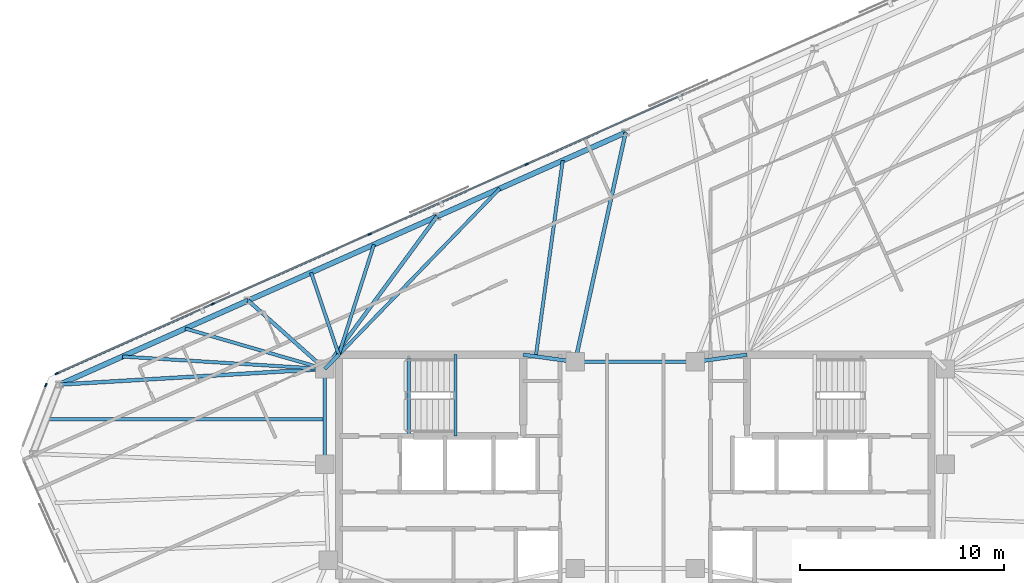
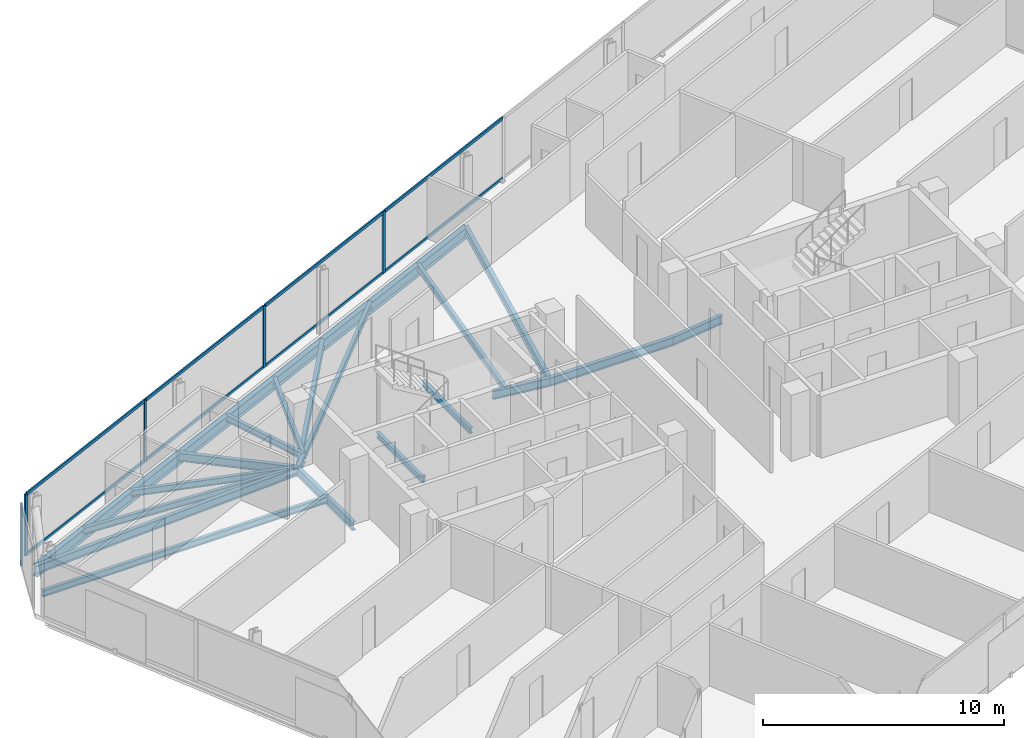
# One storey, part 9 of 19: 21 beams, 13 members, 2 elements without a shape of their own.
"""IFC4 building model written with IfcOpenShell, lengths in metres."""

from ifc_helpers import new_model, si_unit, direction, frame, origin, origin_2d, place, context, subcontext, project, spatial, rectangle, i_section, extrude, material, material_profile, profile_set, type_object, element, aggregate, save


model = new_model("IFC4")

# Units and contexts
model_context = context("Model", 3, precision=1e-05, world=origin(), true_north=direction((0.0, 1.0)))
body_context = subcontext(model_context, "Body", "Model", "MODEL_VIEW")
ifc_project = project(units=[si_unit("LENGTHUNIT", "METRE"), si_unit("AREAUNIT", "SQUARE_METRE"), si_unit("VOLUMEUNIT", "CUBIC_METRE"), si_unit("PLANEANGLEUNIT", "RADIAN"), si_unit("MASSUNIT", "GRAM", prefix="KILO")], contexts=[model_context])

# Site, building, storey
site_placement = place(None, origin())
site = spatial("IfcSite", under=ifc_project, at=site_placement, CompositionType="ELEMENT")
building_placement = place(site_placement, origin())
building = spatial("IfcBuilding", under=site, at=building_placement, Name="Menara Jurai Vektor", CompositionType="ELEMENT")
storey_placement = place(building_placement, frame((0.0, 0.0, 262.199951171875)))
storey = spatial("IfcBuildingStorey", under=building, at=storey_placement, Name="L70", CompositionType="ELEMENT", Elevation=262.199951171875)

# Curtain wall, members
ifc_material_1 = material(Name="Anodised Pale Aluminium & Low-E Double Glazing", Category="aluminium")
curtain_wall_type = type_object("IfcCurtainWallType", Name="CW-BLK5", PredefinedType="NOTDEFINED", material=ifc_material_1)
curtain_wall_1_placement = place(storey_placement, origin())
curtain_wall_1 = element("IfcCurtainWall", 1, at=curtain_wall_1_placement, inside=storey, type_object=curtain_wall_type, Name="Unitised Curtain Wall L70 F05", PredefinedType="NOTDEFINED")
ifc_material_2 = material(Name="Anodised Pale Aluminium Mullion", Category="aluminium")
ifc_material_profile_1 = material_profile(ifc_material_2, rectangle(XDim=0.074951171875, YDim=0.175048828125, at=origin_2d()), Name="ALU MUL 75x175")
ifc_profile_set_1 = profile_set([ifc_material_profile_1], Name="Anodised Pale Aluminium Mullion")
member_type_1 = type_object("IfcMemberType", Name="CW-BLK5-MUL", PredefinedType="MULLION", material=ifc_profile_set_1)
member_1_placement = place(storey_placement, frame((-5.327880859375, 14.957275390625, 0.0), z_axis=(0.0, 0.0, 1.0), x_axis=(0.406735498684, -0.913545967158, 0.0)))
member_1 = element("IfcMember", 2, at=member_1_placement, type_object=member_type_1, Name="CW-05 mullion 4", PredefinedType="MULLION", context=body_context, shape_type="SweptSolid", body=[
    extrude(rectangle(XDim=0.074951171875, YDim=0.175048828125, at=origin_2d()), origin(), (0.0, 0.0, 1.0), 3.125),
])
member_2_placement = place(storey_placement, frame((-13.038330078125, 11.5244140625, 0.0), z_axis=(0.0, 0.0, 1.0), x_axis=(0.406735498684, -0.913545967158, 0.0)))
member_2 = element("IfcMember", 3, at=member_2_placement, type_object=member_type_1, Name="CW-05 mullion 5", PredefinedType="MULLION", context=body_context, shape_type="SweptSolid", body=[
    extrude(rectangle(XDim=0.074951171875, YDim=0.175048828125, at=origin_2d()), origin(), (0.0, 0.0, 1.0), 3.125),
])
member_3_placement = place(storey_placement, frame((-20.748779296875, 8.091552734375, 0.0), z_axis=(0.0, 0.0, 1.0), x_axis=(0.406735498684, -0.913545967158, 0.0)))
member_3 = element("IfcMember", 4, at=member_3_placement, type_object=member_type_1, Name="CW-05 mullion 6", PredefinedType="MULLION", context=body_context, shape_type="SweptSolid", body=[
    extrude(rectangle(XDim=0.074951171875, YDim=0.175048828125, at=origin_2d()), origin(), (0.0, 0.0, 1.0), 3.125),
])
member_4_placement = place(storey_placement, frame((-28.4248046875, 4.674072265625, 0.0), z_axis=(0.0, 0.0, 1.0), x_axis=(0.406735498684, -0.913545967158, 0.0)))
member_4 = element("IfcMember", 5, at=member_4_placement, type_object=member_type_1, Name="CW-05 mullion 7", PredefinedType="MULLION", context=body_context, shape_type="SweptSolid", body=[
    extrude(rectangle(XDim=0.074951171875, YDim=0.175048828125, at=origin_2d()), origin(), (0.0, 0.0, 1.0), 3.125),
])

# Curtain wall, member
curtain_wall_2_placement = place(storey_placement, origin())
curtain_wall_2 = element("IfcCurtainWall", 6, at=curtain_wall_2_placement, inside=storey, type_object=curtain_wall_type, Name="Unitised Curtain Wall L70 F06", PredefinedType="NOTDEFINED")
member_5_placement = place(storey_placement, frame((-28.955810546875, 4.114501953125, 0.0), z_axis=(0.0, 0.0, 1.0), x_axis=(0.933578193639, -0.358373766287, 0.0)))
member_5 = element("IfcMember", 7, at=member_5_placement, type_object=member_type_1, Name="CW-05 mullion 1", PredefinedType="MULLION", context=body_context, shape_type="SweptSolid", body=[
    extrude(rectangle(XDim=0.074951171875, YDim=0.175048828125, at=origin_2d()), origin(), (0.0, 0.0, 1.0), 3.125),
])
aggregate(curtain_wall_2, [member_5])

# Member
ifc_material_3 = material(Name="Anodised Pale Aluminium Transom", Category="aluminium")
ifc_material_profile_2 = material_profile(ifc_material_3, rectangle(XDim=0.074951171875, YDim=0.155029296875, at=origin_2d()), Name="ALU TRN 75x155")
ifc_profile_set_2 = profile_set([ifc_material_profile_2], Name="Anodised Pale Aluminium Transom")
member_type_2 = type_object("IfcMemberType", Name="CW-BLK5-TRN", PredefinedType="USERDEFINED", material=ifc_profile_set_2)
member_6_placement = place(storey_placement, frame((2.34814453125, 18.375, 0.03759765625), z_axis=(-0.913546575494, -0.406734132331, 0.0), x_axis=(0.406734132331, -0.913546575494, 0.0)))
member_6 = element("IfcMember", 8, at=member_6_placement, type_object=member_type_2, Name="CW-05 transom 3.1", ObjectType="TRANSOM", PredefinedType="USERDEFINED", context=body_context, shape_type="SweptSolid", body=[
    extrude(rectangle(XDim=0.074951171875, YDim=0.155029296875, at=origin_2d()), origin(), (0.0, 0.0, 1.0), 8.364990234375),
])

member_7_placement = place(storey_placement, frame((2.34814453125, 18.375, 3.087646484375), z_axis=(-0.913546575494, -0.406734132331, 0.0), x_axis=(0.406734132331, -0.913546575494, 0.0)))
member_7 = element("IfcMember", 9, at=member_7_placement, type_object=member_type_2, Name="CW-05 transom 3.2", ObjectType="TRANSOM", PredefinedType="USERDEFINED", context=body_context, shape_type="SweptSolid", body=[
    extrude(rectangle(XDim=0.074951171875, YDim=0.155029296875, at=origin_2d()), origin(), (0.0, 0.0, 1.0), 8.364990234375),
])

member_8_placement = place(storey_placement, frame((-5.3623046875, 14.942138671875, 0.03759765625), z_axis=(-0.913546575494, -0.406734132331, 0.0), x_axis=(0.406734132331, -0.913546575494, 0.0)))
member_8 = element("IfcMember", 10, at=member_8_placement, type_object=member_type_2, Name="CW-05 transom 4.1", ObjectType="TRANSOM", PredefinedType="USERDEFINED", context=body_context, shape_type="SweptSolid", body=[
    extrude(rectangle(XDim=0.074951171875, YDim=0.155029296875, at=origin_2d()), origin(), (0.0, 0.0, 1.0), 8.364990234375),
])

member_9_placement = place(storey_placement, frame((-5.3623046875, 14.942138671875, 3.087646484375), z_axis=(-0.913546575494, -0.406734132331, 0.0), x_axis=(0.406734132331, -0.913546575494, 0.0)))
member_9 = element("IfcMember", 11, at=member_9_placement, type_object=member_type_2, Name="CW-05 transom 4.2", ObjectType="TRANSOM", PredefinedType="USERDEFINED", context=body_context, shape_type="SweptSolid", body=[
    extrude(rectangle(XDim=0.074951171875, YDim=0.155029296875, at=origin_2d()), origin(), (0.0, 0.0, 1.0), 8.364990234375),
])

member_10_placement = place(storey_placement, frame((-13.072509765625, 11.50927734375, 0.03759765625), z_axis=(-0.913546575494, -0.406734132331, 0.0), x_axis=(0.406734132331, -0.913546575494, 0.0)))
member_10 = element("IfcMember", 12, at=member_10_placement, type_object=member_type_2, Name="CW-05 transom 5.1", ObjectType="TRANSOM", PredefinedType="USERDEFINED", context=body_context, shape_type="SweptSolid", body=[
    extrude(rectangle(XDim=0.074951171875, YDim=0.155029296875, at=origin_2d()), origin(), (0.0, 0.0, 1.0), 8.364990234375),
])

member_11_placement = place(storey_placement, frame((-13.072509765625, 11.50927734375, 3.087646484375), z_axis=(-0.913546575494, -0.406734132331, 0.0), x_axis=(0.406734132331, -0.913546575494, 0.0)))
member_11 = element("IfcMember", 13, at=member_11_placement, type_object=member_type_2, Name="CW-05 transom 5.2", ObjectType="TRANSOM", PredefinedType="USERDEFINED", context=body_context, shape_type="SweptSolid", body=[
    extrude(rectangle(XDim=0.074951171875, YDim=0.155029296875, at=origin_2d()), origin(), (0.0, 0.0, 1.0), 8.364990234375),
])

member_12_placement = place(storey_placement, frame((-20.782958984375, 8.076416015625, 0.03759765625), z_axis=(-0.91353811338, -0.406753138159, 0.0), x_axis=(0.406753138159, -0.91353811338, 0.0)))
member_12 = element("IfcMember", 14, at=member_12_placement, type_object=member_type_2, Name="CW-05 transom 6.1", ObjectType="TRANSOM", PredefinedType="USERDEFINED", context=body_context, shape_type="SweptSolid", body=[
    extrude(rectangle(XDim=0.074951171875, YDim=0.155029296875, at=origin_2d()), origin(), (0.0, 0.0, 1.0), 8.327392578125),
])

member_13_placement = place(storey_placement, frame((-20.782958984375, 8.076416015625, 3.087646484375), z_axis=(-0.91353811338, -0.406753138159, 0.0), x_axis=(0.406753138159, -0.91353811338, 0.0)))
member_13 = element("IfcMember", 15, at=member_13_placement, type_object=member_type_2, Name="CW-05 transom 6.2", ObjectType="TRANSOM", PredefinedType="USERDEFINED", context=body_context, shape_type="SweptSolid", body=[
    extrude(rectangle(XDim=0.074951171875, YDim=0.155029296875, at=origin_2d()), origin(), (0.0, 0.0, 1.0), 8.327392578125),
])

aggregate(curtain_wall_1, [member_1, member_2, member_3, member_4, member_6, member_7, member_8, member_9, member_10, member_11, member_12, member_13])

# Beams
ifc_material_4 = material(Name="Steel S355", Category="steel")
ifc_material_profile_3 = material_profile(ifc_material_4, i_section(OverallWidth=0.18505859375, OverallDepth=0.429931640625, WebThickness=0.010986328125, FlangeThickness=0.01806640625, at=origin_2d()), Name="PG 430x185x76")
ifc_profile_set_3 = profile_set([ifc_material_profile_3], Name="Steel S355")
beam_type_1 = type_object("IfcBeamType", Name="STR-BM-430", PredefinedType="BEAM", material=ifc_profile_set_3)
beam_1_placement = place(storey_placement, frame((-15.25, 4.89990234375, -0.43994140625), z_axis=(0.701871936926, 0.712303154672, 0.0), x_axis=(-0.712303154672, 0.701871936926, 0.0)))
element("IfcBeam", 16, at=beam_1_placement, inside=storey, type_object=beam_type_1, Name="Core Ring Header Girder L70-CHW-N1", PredefinedType="BEAM", context=body_context, shape_type="SweptSolid", body=[
    extrude(i_section(OverallWidth=0.18505859375, OverallDepth=0.429931640625, WebThickness=0.010986328125, FlangeThickness=0.01806640625, at=origin_2d()), origin(), (0.0, 0.0, 1.0), 0.98291015625),
])
beam_2_placement = place(storey_placement, frame((-5.5, 5.60009765625, -0.43994140625), z_axis=(0.990706818608, -0.136014703483, 0.0), x_axis=(0.136014703483, 0.990706818608, 0.0)))
element("IfcBeam", 17, at=beam_2_placement, inside=storey, type_object=beam_type_1, Name="Core Ring Header Girder L70-CHW-N2", PredefinedType="BEAM", context=body_context, shape_type="SweptSolid", body=[
    extrude(i_section(OverallWidth=0.18505859375, OverallDepth=0.429931640625, WebThickness=0.010986328125, FlangeThickness=0.01806640625, at=origin_2d()), origin(), (0.0, 0.0, 1.0), 2.573974609375),
])
beam_3_placement = place(storey_placement, frame((-15.25, 0.219970703125, -0.43994140625), z_axis=(0.0, 1.0, 0.0), x_axis=(-1.0, 0.0, 0.0)))
element("IfcBeam", 18, at=beam_3_placement, inside=storey, type_object=beam_type_1, Name="Core Ring Header Girder L70-CHW-W1", PredefinedType="BEAM", context=body_context, shape_type="SweptSolid", body=[
    extrude(i_section(OverallWidth=0.18505859375, OverallDepth=0.429931640625, WebThickness=0.010986328125, FlangeThickness=0.01806640625, at=origin_2d()), origin(), (0.0, 0.0, 1.0), 4.679931640625),
])
beam_4_placement = place(storey_placement, frame((2.949951171875, 5.25, -0.43994140625), z_axis=(0.990706818608, 0.136014703483, 0.0), x_axis=(-0.136014703483, 0.990706818608, 0.0)))
element("IfcBeam", 19, at=beam_4_placement, inside=storey, type_object=beam_type_1, Name="Core Ring Header Girder L70-CHE-N1", PredefinedType="BEAM", context=body_context, shape_type="SweptSolid", body=[
    extrude(i_section(OverallWidth=0.18505859375, OverallDepth=0.429931640625, WebThickness=0.010986328125, FlangeThickness=0.01806640625, at=origin_2d()), origin(), (0.0, 0.0, 1.0), 2.573974609375),
])
beam_5_placement = place(storey_placement, frame((-2.949951171875, 5.25, -0.43994140625), z_axis=(1.0, 0.0, 0.0), x_axis=(0.0, 1.0, 0.0)))
element("IfcBeam", 20, at=beam_5_placement, inside=storey, type_object=beam_type_1, Name="Core Ring Header Girder L70-CC-2", PredefinedType="BEAM", context=body_context, shape_type="SweptSolid", body=[
    extrude(i_section(OverallWidth=0.18505859375, OverallDepth=0.429931640625, WebThickness=0.010986328125, FlangeThickness=0.01806640625, at=origin_2d()), origin(), (0.0, 0.0, 1.0), 5.89990234375),
])
beam_6_placement = place(storey_placement, frame((-0.467529296875, 16.519287109375, -0.43994140625), z_axis=(-0.215124522255, -0.976586626943, 0.0), x_axis=(0.976586626943, -0.215124522255, 0.0)))
element("IfcBeam", 21, at=beam_6_placement, inside=storey, type_object=beam_type_1, Name="Radial Floor Girder L70-N3", PredefinedType="BEAM", context=body_context, shape_type="SweptSolid", body=[
    extrude(i_section(OverallWidth=0.18505859375, OverallDepth=0.429931640625, WebThickness=0.010986328125, FlangeThickness=0.01806640625, at=origin_2d()), origin(), (0.0, 0.0, 1.0), 11.53955078125),
])
beam_7_placement = place(storey_placement, frame((-9.740966796875, 12.390380859375, -0.43994140625), z_axis=(-0.592483178081, -0.805582822366, 0.0), x_axis=(0.805582822366, -0.592483178081, 0.0)))
element("IfcBeam", 22, at=beam_7_placement, inside=storey, type_object=beam_type_1, Name="Radial Floor Girder L70-N4", PredefinedType="BEAM", context=body_context, shape_type="SweptSolid", body=[
    extrude(i_section(OverallWidth=0.18505859375, OverallDepth=0.429931640625, WebThickness=0.010986328125, FlangeThickness=0.01806640625, at=origin_2d()), origin(), (0.0, 0.0, 1.0), 9.298095703125),
])
beam_8_placement = place(storey_placement, frame((-19.0146484375, 8.26171875, -0.43994140625), z_axis=(0.745886163995, -0.666073442167, 0.0), x_axis=(0.666073442167, 0.745886163995, 0.0)))
element("IfcBeam", 23, at=beam_8_placement, inside=storey, type_object=beam_type_1, Name="Radial Floor Girder L70-N5", PredefinedType="BEAM", context=body_context, shape_type="SweptSolid", body=[
    extrude(i_section(OverallWidth=0.18505859375, OverallDepth=0.429931640625, WebThickness=0.010986328125, FlangeThickness=0.01806640625, at=origin_2d()), origin(), (0.0, 0.0, 1.0), 5.047119140625),
])
beam_9_placement = place(storey_placement, frame((-28.2880859375, 4.1328125, -0.43994140625), z_axis=(0.998273728533, 0.058732979834, 0.0), x_axis=(-0.058732979834, 0.998273728533, 0.0)))
element("IfcBeam", 24, at=beam_9_placement, inside=storey, type_object=beam_type_1, Name="Radial Floor Girder L70-N6", PredefinedType="BEAM", context=body_context, shape_type="SweptSolid", body=[
    extrude(i_section(OverallWidth=0.18505859375, OverallDepth=0.429931640625, WebThickness=0.010986328125, FlangeThickness=0.01806640625, at=origin_2d()), origin(), (0.0, 0.0, 1.0), 13.060546875),
])
ifc_material_profile_4 = material_profile(ifc_material_4, i_section(OverallWidth=0.1650390625, OverallDepth=0.330078125, WebThickness=0.009033203125, FlangeThickness=0.013916015625, at=origin_2d()), Name="PG 330x165x46")
ifc_profile_set_4 = profile_set([ifc_material_profile_4], Name="Steel S355")
beam_type_2 = type_object("IfcBeamType", Name="STR-JS-330", PredefinedType="JOIST", material=ifc_profile_set_4)
beam_10_placement = place(storey_placement, frame((-3.55859375, 15.14306640625, -0.389892578125), z_axis=(-0.135981954601, -0.990711314169, 0.0), x_axis=(0.990711314169, -0.135981954601, 0.0)))
element("IfcBeam", 25, at=beam_10_placement, inside=storey, type_object=beam_type_2, Name="Radial Secondary Floor Joist L70-JS19", PredefinedType="JOIST", context=body_context, shape_type="SweptSolid", body=[
    extrude(i_section(OverallWidth=0.1650390625, OverallDepth=0.330078125, WebThickness=0.009033203125, FlangeThickness=0.013916015625, at=origin_2d()), origin(), (0.0, 0.0, 1.0), 9.718505859375),
])
beam_11_placement = place(storey_placement, frame((-6.64990234375, 13.766845703125, -0.389892578125), z_axis=(-0.695732556791, -0.718300918433, 0.0), x_axis=(0.718300918433, -0.695732556791, 0.0)))
element("IfcBeam", 26, at=beam_11_placement, inside=storey, type_object=beam_type_2, Name="Radial Secondary Floor Joist L70-JS20", PredefinedType="JOIST", context=body_context, shape_type="SweptSolid", body=[
    extrude(i_section(OverallWidth=0.1650390625, OverallDepth=0.330078125, WebThickness=0.009033203125, FlangeThickness=0.013916015625, at=origin_2d()), origin(), (0.0, 0.0, 1.0), 11.36962890625),
])
beam_12_placement = place(storey_placement, frame((-12.832275390625, 11.01416015625, -0.389892578125), z_axis=(-0.304022753529, -0.952664770702, 0.0), x_axis=(0.952664770702, -0.304022753529, 0.0)))
element("IfcBeam", 27, at=beam_12_placement, inside=storey, type_object=beam_type_2, Name="Radial Secondary Floor Joist L70-JS21", PredefinedType="JOIST", context=body_context, shape_type="SweptSolid", body=[
    extrude(i_section(OverallWidth=0.1650390625, OverallDepth=0.330078125, WebThickness=0.009033203125, FlangeThickness=0.013916015625, at=origin_2d()), origin(), (0.0, 0.0, 1.0), 5.68310546875),
])
beam_13_placement = place(storey_placement, frame((-15.92333984375, 9.637939453125, -0.389892578125), z_axis=(0.319885998438, -0.947456040143, 0.0), x_axis=(0.947456040143, 0.319885998438, 0.0)))
element("IfcBeam", 28, at=beam_13_placement, inside=storey, type_object=beam_type_2, Name="Radial Secondary Floor Joist L70-JS22", PredefinedType="JOIST", context=body_context, shape_type="SweptSolid", body=[
    extrude(i_section(OverallWidth=0.1650390625, OverallDepth=0.330078125, WebThickness=0.009033203125, FlangeThickness=0.013916015625, at=origin_2d()), origin(), (0.0, 0.0, 1.0), 4.26171875),
])
beam_14_placement = place(storey_placement, frame((-22.105712890625, 6.885498046875, -0.389892578125), z_axis=(0.960525066064, -0.278193453306, 0.0), x_axis=(0.278193453306, 0.960525066064, 0.0)))
element("IfcBeam", 29, at=beam_14_placement, inside=storey, type_object=beam_type_2, Name="Radial Secondary Floor Joist L70-JS23", PredefinedType="JOIST", context=body_context, shape_type="SweptSolid", body=[
    extrude(i_section(OverallWidth=0.1650390625, OverallDepth=0.330078125, WebThickness=0.009033203125, FlangeThickness=0.013916015625, at=origin_2d()), origin(), (0.0, 0.0, 1.0), 7.137451171875),
])
beam_15_placement = place(storey_placement, frame((-25.197021484375, 5.509033203125, -0.389892578125), z_axis=(0.998130240593, -0.061123013776, 0.0), x_axis=(0.061123013776, 0.998130240593, 0.0)))
element("IfcBeam", 30, at=beam_15_placement, inside=storey, type_object=beam_type_2, Name="Radial Secondary Floor Joist L70-JS24", PredefinedType="JOIST", context=body_context, shape_type="SweptSolid", body=[
    extrude(i_section(OverallWidth=0.1650390625, OverallDepth=0.330078125, WebThickness=0.009033203125, FlangeThickness=0.013916015625, at=origin_2d()), origin(), (0.0, 0.0, 1.0), 9.965576171875),
])
beam_16_placement = place(storey_placement, frame((-28.93994140625, 2.434814453125, -0.389892578125), z_axis=(1.0, 0.0, 0.0), x_axis=(0.0, 1.0, 0.0)))
element("IfcBeam", 31, at=beam_16_placement, inside=storey, type_object=beam_type_2, Name="Radial Secondary Floor Joist L70-JS25", PredefinedType="JOIST", context=body_context, shape_type="SweptSolid", body=[
    extrude(i_section(OverallWidth=0.1650390625, OverallDepth=0.330078125, WebThickness=0.009033203125, FlangeThickness=0.013916015625, at=origin_2d()), origin(), (0.0, 0.0, 1.0), 13.68994140625),
])
ifc_material_profile_5 = material_profile(ifc_material_4, i_section(OverallWidth=0.1650390625, OverallDepth=0.302978515625, WebThickness=0.006103515625, FlangeThickness=0.010009765625, FilletRadius=0.009033203125, at=origin_2d()), Name="UKB 305x165x40")
ifc_profile_set_5 = profile_set([ifc_material_profile_5], Name="Steel S355")
beam_type_3 = type_object("IfcBeamType", Name="STR-LN-305", PredefinedType="LINTEL", material=ifc_profile_set_5)
beam_17_placement = place(storey_placement, frame((-11.1201171875, 1.60009765625, -0.37646484375), z_axis=(0.0, 1.0, 0.0), x_axis=(-1.0, 0.0, 0.0)))
element("IfcBeam", 32, at=beam_17_placement, inside=storey, type_object=beam_type_3, Name="Stair Well Floor Trimmer ST1 L70", PredefinedType="LINTEL", context=body_context, shape_type="SweptSolid", body=[
    extrude(i_section(OverallWidth=0.1650390625, OverallDepth=0.302978515625, WebThickness=0.006103515625, FlangeThickness=0.010009765625, FilletRadius=0.009033203125, at=origin_2d()), origin(), (0.0, 0.0, 1.0), 3.81982421875),
])
beam_18_placement = place(storey_placement, frame((-8.830078125, 1.60009765625, 1.323486328125), z_axis=(0.0, 1.0, 0.0), x_axis=(-1.0, 0.0, 0.0)))
element("IfcBeam", 33, at=beam_18_placement, inside=storey, type_object=beam_type_3, Name="Stair Half-Landing Nosing Trimmer ST1-1 L70", PredefinedType="LINTEL", context=body_context, shape_type="SweptSolid", body=[
    extrude(i_section(OverallWidth=0.1650390625, OverallDepth=0.302978515625, WebThickness=0.006103515625, FlangeThickness=0.010009765625, FilletRadius=0.009033203125, at=origin_2d()), origin(), (0.0, 0.0, 1.0), 4.0),
])
ifc_material_profile_6 = material_profile(ifc_material_4, i_section(OverallWidth=0.260009765625, OverallDepth=0.570068359375, WebThickness=0.013916015625, FlangeThickness=0.02392578125, at=origin_2d()), Name="PG 570x260x145")
ifc_profile_set_6 = profile_set([ifc_material_profile_6], Name="Steel S355")
beam_type_4 = type_object("IfcBeamType", Name="STR-SP-570", PredefinedType="SPANDREL", material=ifc_profile_set_6)
for number, where, z_axis, x_axis, name in (
    (34, (-0.467529296875, 16.519287109375, -0.510009765625), (-0.913541582548, -0.406745346568, 0.0), (0.406745346568, -0.913541582548, 0.0), "Exoskeleton Spandrel Beam L70-13"),
    (35, (-9.740966796875, 12.390380859375, -0.510009765625), (-0.913554497648, -0.406716338284, 0.0), (0.406716338284, -0.913554497648, 0.0), "Exoskeleton Spandrel Beam L70-14"),
    (36, (-19.0146484375, 8.26171875, -0.510009765625), (-0.913541582548, -0.406745346568, 0.0), (0.406745346568, -0.913541582548, 0.0), "Exoskeleton Spandrel Beam L70-15"),
):
    element("IfcBeam", number, at=place(storey_placement, frame(where, z_axis=z_axis, x_axis=x_axis)), inside=storey, type_object=beam_type_4, Name=name, PredefinedType="SPANDREL", context=body_context, shape_type="SweptSolid", body=[
        extrude(i_section(OverallWidth=0.260009765625, OverallDepth=0.570068359375, WebThickness=0.013916015625, FlangeThickness=0.02392578125, at=origin_2d()), origin(), (0.0, 0.0, 1.0), 10.151123046875),
    ])

save(model, "model.ifc")
